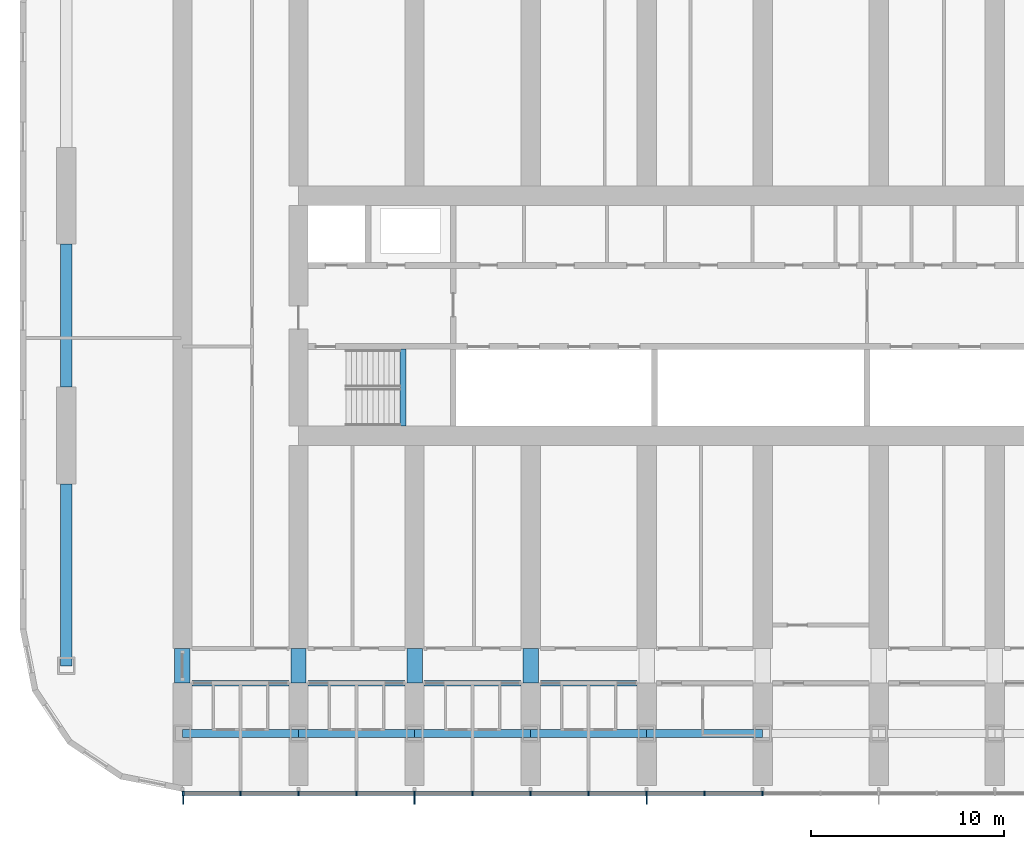
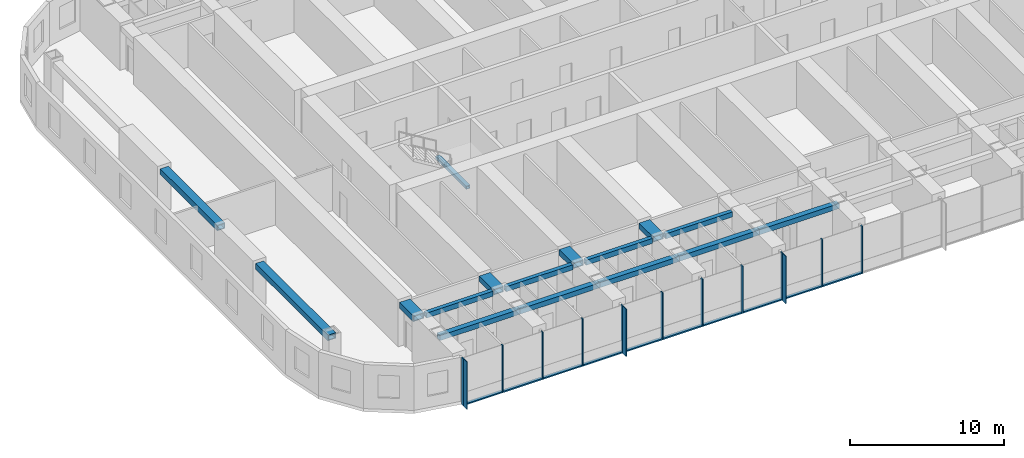
# One storey, part 2 of 25: 24 members, 16 beams, 1 element without a shape of its own.
"""IFC4 building model written with IfcOpenShell, lengths in metres."""

import ifcopenshell
import ifcopenshell.guid

model = None  # the IFC model being written
_history = None  # IfcOwnerHistory: only IFC2X3 demands one
_inside = {}  # id of a spatial element -> (the spatial element, [elements in it])
_under = {}  # id of a project, library or spatial element -> (it, [spatial elements below it])
_declared = {}  # id of a project -> (the project, [libraries it declares])
_typed = {}  # id of a type object -> (the type object, [elements of that type])
_made_of = {}  # id of a material, layer set ... -> (it, [elements and type objects made of it])


def new_model(schema):
    """Start an empty IFC model of exactly this schema.

    Asked for "IFC4X3", IfcOpenShell would pick the latest addendum, in which some entities
    have other attributes; the version numbers below select the first issue.
    IFC2X3 requires an IfcOwnerHistory on every rooted entity: one is made here for all.
    """
    global model, _history
    if schema == "IFC4X3":
        model = ifcopenshell.file(schema_version=(4, 3, 0, 0))
    else:
        model = ifcopenshell.file(schema=schema)
    _inside.clear()
    _under.clear()
    _declared.clear()
    _typed.clear()
    _made_of.clear()
    _history = None
    if model.schema == "IFC2X3":
        org = make("IfcOrganization", Name="unknown")
        user = make(
            "IfcPersonAndOrganization",
            ThePerson=make("IfcPerson", FamilyName="unknown"),
            TheOrganization=org,
        )
        app = make(
            "IfcApplication",
            ApplicationDeveloper=org,
            Version="unknown",
            ApplicationFullName="unknown",
            ApplicationIdentifier="unknown",
        )
        _history = make(
            "IfcOwnerHistory",
            OwningUser=user,
            OwningApplication=app,
            ChangeAction="ADDED",
            CreationDate=0,
        )
    return model


def make(cls, **values):
    """One entity of the class cls with the attributes given. An attribute that is None is left unset."""
    return model.create_entity(
        cls, **{name: value for name, value in values.items() if value is not None}
    )


def rooted(cls, **values):
    """An entity with a GlobalId (a new one), such as an element, a storey or a relation."""
    return make(cls, GlobalId=ifcopenshell.guid.new(), OwnerHistory=_history, **values)


def si_unit(unit_type, name, prefix=None):
    """IfcSIUnit, for example si_unit("LENGTHUNIT", "METRE", prefix="MILLI")."""
    return make("IfcSIUnit", UnitType=unit_type, Prefix=prefix, Name=name)


def assignment(units):
    """IfcUnitAssignment: the units of a project."""
    return None if units is None else make("IfcUnitAssignment", Units=units)


def point(xyz):
    """IfcCartesianPoint."""
    return None if xyz is None else make("IfcCartesianPoint", Coordinates=xyz)


def direction(xyz):
    """IfcDirection."""
    return None if xyz is None else make("IfcDirection", DirectionRatios=xyz)


def frame(location, z_axis=None, x_axis=None):
    """IfcAxis2Placement3D, a coordinate frame: its origin and axes. An axis left out is left unset."""
    return make(
        "IfcAxis2Placement3D",
        Location=point(location),
        Axis=direction(z_axis),
        RefDirection=direction(x_axis),
    )


def frame_2d(location, x_axis=None):
    """IfcAxis2Placement2D, a coordinate frame in the plane: its origin and x axis."""
    return make(
        "IfcAxis2Placement2D", Location=point(location), RefDirection=direction(x_axis)
    )


def origin():
    """The frame at (0, 0, 0) with its axes left unset."""
    return frame((0.0, 0.0, 0.0))


def origin_2d():
    """The frame at (0, 0) in the plane with its x axis left unset."""
    return frame_2d((0.0, 0.0))


def place(relative_to, where):
    """IfcLocalPlacement: puts the frame where relative to a parent placement (None: the world)."""
    return make(
        "IfcLocalPlacement", PlacementRelTo=relative_to, RelativePlacement=where
    )


def context(
    kind, dimensions, precision=None, world=None, true_north=None, identifier=None
):
    """IfcGeometricRepresentationContext, for example the 3D "Model" context."""
    return make(
        "IfcGeometricRepresentationContext",
        ContextIdentifier=identifier,
        ContextType=kind,
        CoordinateSpaceDimension=dimensions,
        Precision=precision,
        WorldCoordinateSystem=world,
        TrueNorth=true_north,
    )


def subcontext(parent, identifier, kind, view, scale=None):
    """IfcGeometricRepresentationSubContext, for example "Body" below "Model"."""
    return make(
        "IfcGeometricRepresentationSubContext",
        ContextIdentifier=identifier,
        ContextType=kind,
        ParentContext=parent,
        TargetScale=scale,
        TargetView=view,
    )


def project(units=None, contexts=None):
    """IfcProject with its units and contexts."""
    return rooted(
        "IfcProject",
        Name="project",
        RepresentationContexts=contexts,
        UnitsInContext=assignment(units),
    )


def spatial(cls, under=None, at=None, **own):
    """A site, building, storey or space (cls), placed at a placement, below another one or the project."""
    s = rooted(cls, ObjectPlacement=at, **own)
    if under is not None:
        _under.setdefault(under.id(), (under, []))[1].append(s)
    return s


def profile(cls, at=None, kind="AREA", **sizes):
    """A parametric profile (cls). Its sizes go by their IFC names, for example OverallWidth=200.0."""
    return make(cls, ProfileType=kind, Position=at, **sizes)


def rectangle(**sizes):
    """IfcRectangleProfileDef."""
    return profile("IfcRectangleProfileDef", **sizes)


def hollow_rectangle(**sizes):
    """IfcRectangleHollowProfileDef."""
    return profile("IfcRectangleHollowProfileDef", **sizes)


def extrude(swept, where, along, depth):
    """IfcExtrudedAreaSolid: the profile swept, set in the frame where, extruded along a direction by depth."""
    return make(
        "IfcExtrudedAreaSolid",
        SweptArea=swept,
        Position=where,
        ExtrudedDirection=direction(along),
        Depth=depth,
    )


def shape(context_of_items, identifier, shape_type, items):
    """IfcShapeRepresentation: the items that make up one representation, for example the "Body"."""
    return make(
        "IfcShapeRepresentation",
        ContextOfItems=context_of_items,
        RepresentationIdentifier=identifier,
        RepresentationType=shape_type,
        Items=items,
    )


def material(Name=None, Category=None):
    """IfcMaterial."""
    return make("IfcMaterial", Name=Name, Category=Category)


def material_profile(
    of_material, cross_section, Name=None, Category=None, Priority=None
):
    """IfcMaterialProfile: a cross section and its material."""
    return make(
        "IfcMaterialProfile",
        Name=Name,
        Material=of_material,
        Profile=cross_section,
        Priority=Priority,
        Category=Category,
    )


def profile_set(profiles, Name=None, composite=None):
    """IfcMaterialProfileSet."""
    return make(
        "IfcMaterialProfileSet",
        Name=Name,
        MaterialProfiles=profiles,
        CompositeProfile=composite,
    )


def made_of(thing, what):
    """Note that an element or type object is made of a material, layer set ...; save() writes the relation."""
    if what is not None:
        _made_of.setdefault(what.id(), (what, []))[1].append(thing)
    return thing


def type_object(cls, material=None, **own):
    """A type object (cls), such as IfcWallType, which elements share."""
    return made_of(rooted(cls, **own), material)


def element(
    cls,
    number,
    at=None,
    inside=None,
    cuts=None,
    type_object=None,
    material=None,
    context=None,
    identifier="Body",
    shape_type=None,
    held_by="IfcProductDefinitionShape",
    body=None,
    shapes=None,
    **own,
):
    """One element of the class cls, such as IfcWall. Its Tag is "e" and its number.

    at: its placement. inside: the storey or other place that contains it. cuts: it is an
    opening in that element (IfcRelVoidsElement). A single representation is given by context,
    identifier, shape_type and body (its items); several are given by shapes. held_by: the class
    of the entity that holds the representations. save() writes the other relations.
    """
    e = rooted(cls, Tag="e%d" % number, ObjectPlacement=at, **own)
    if body is not None:
        shapes = [shape(context, identifier, shape_type, body)]
    if shapes is not None:
        e.Representation = make(held_by, Representations=shapes)
    if inside is not None:
        _inside.setdefault(inside.id(), (inside, []))[1].append(e)
    if cuts is not None:
        rooted(
            "IfcRelVoidsElement", RelatingBuildingElement=cuts, RelatedOpeningElement=e
        )
    if type_object is not None:
        _typed.setdefault(type_object.id(), (type_object, []))[1].append(e)
    return made_of(e, material)


def aggregate(whole, parts):
    """IfcRelAggregates: a whole, such as a stair, and the parts it consists of."""
    return rooted("IfcRelAggregates", RelatingObject=whole, RelatedObjects=parts)


def save(model, path):
    """Write the relations noted so far, then the file.

    IfcRelAggregates (storeys below a building ...), IfcRelContainedInSpatialStructure (elements
    in a storey), IfcRelDefinesByType, IfcRelAssociatesMaterial and IfcRelDeclares: one each for
    every whole, place, type object, material and project.
    """
    for whole, parts in _under.values():
        aggregate(whole, parts)
    for where, things in _inside.values():
        rooted(
            "IfcRelContainedInSpatialStructure",
            RelatedElements=things,
            RelatingStructure=where,
        )
    for kind, things in _typed.values():
        rooted("IfcRelDefinesByType", RelatedObjects=things, RelatingType=kind)
    for what, things in _made_of.values():
        rooted("IfcRelAssociatesMaterial", RelatedObjects=things, RelatingMaterial=what)
    for by, libraries in _declared.values():
        rooted("IfcRelDeclares", RelatingContext=by, RelatedDefinitions=libraries)
    model.write(path)


model = new_model("IFC4")

# Units and contexts
model_context = context("Model", 3, precision=1e-05, world=origin(), true_north=direction((0.0, 1.0)))
body_context = subcontext(model_context, "Body", "Model", "MODEL_VIEW")
ifc_project = project(units=[si_unit("LENGTHUNIT", "METRE"), si_unit("AREAUNIT", "SQUARE_METRE"), si_unit("VOLUMEUNIT", "CUBIC_METRE"), si_unit("PLANEANGLEUNIT", "RADIAN"), si_unit("MASSUNIT", "GRAM", prefix="KILO")], contexts=[model_context])

# Site, building, storey
site_placement = place(None, origin())
site = spatial("IfcSite", under=ifc_project, at=site_placement, CompositionType="ELEMENT")
building_placement = place(site_placement, origin())
building = spatial("IfcBuilding", under=site, at=building_placement, Name="Orbita Commons", CompositionType="ELEMENT")
storey_placement = place(building_placement, frame((0.0, 0.0, 31.449951171875)))
storey = spatial("IfcBuildingStorey", under=building, at=storey_placement, Name="L07", CompositionType="ELEMENT", Elevation=31.449951171875)

# Curtain wall, members
ifc_material_1 = material(Name="Anodised aluminium frame, pale silver", Category="aluminium")
curtain_wall_type = type_object("IfcCurtainWallType", Name="Unitised curtain wall CW-T, vision and spandrel", PredefinedType="NOTDEFINED", material=ifc_material_1)
curtain_wall_placement = place(storey_placement, origin())
curtain_wall = element("IfcCurtainWall", 1, at=curtain_wall_placement, inside=storey, type_object=curtain_wall_type, Name="Curtain wall south L07", PredefinedType="NOTDEFINED")
ifc_material_2 = material(Name="Anodised aluminium, pale silver", Category="aluminium")
ifc_material_profile_1 = material_profile(ifc_material_2, rectangle(XDim=0.080078125, YDim=0.219970703125, at=origin_2d()), Name="AL 80x220")
ifc_profile_set_1 = profile_set([ifc_material_profile_1], Name="Anodised aluminium, pale silver")
member_type_1 = type_object("IfcMemberType", Name="Curtain wall mullion 80x220", PredefinedType="MULLION", material=ifc_profile_set_1)
member_1_placement = place(storey_placement, frame((12.0400390625, 7.2900390625, -0.25), z_axis=(0.0, 0.0, 1.0), x_axis=(1.0, 0.0, 0.0)))
member_1 = element("IfcMember", 2, at=member_1_placement, type_object=member_type_1, Name="Mullion 1 CW-L07-S", PredefinedType="MULLION", context=body_context, shape_type="SweptSolid", body=[
    extrude(rectangle(XDim=0.080078125, YDim=0.219970703125, at=origin_2d()), origin(), (0.0, 0.0, 1.0), 3.75),
])
member_2_placement = place(storey_placement, frame((15.0, 7.2900390625, -0.25), z_axis=(0.0, 0.0, 1.0), x_axis=(1.0, 0.0, 0.0)))
member_2 = element("IfcMember", 3, at=member_2_placement, type_object=member_type_1, Name="Mullion 2 CW-L07-S", PredefinedType="MULLION", context=body_context, shape_type="SweptSolid", body=[
    extrude(rectangle(XDim=0.080078125, YDim=0.219970703125, at=origin_2d()), origin(), (0.0, 0.0, 1.0), 3.75),
])
member_3_placement = place(storey_placement, frame((18.0, 7.2900390625, -0.25), z_axis=(0.0, 0.0, 1.0), x_axis=(1.0, 0.0, 0.0)))
member_3 = element("IfcMember", 4, at=member_3_placement, type_object=member_type_1, Name="Mullion 3 CW-L07-S", PredefinedType="MULLION", context=body_context, shape_type="SweptSolid", body=[
    extrude(rectangle(XDim=0.080078125, YDim=0.219970703125, at=origin_2d()), origin(), (0.0, 0.0, 1.0), 3.75),
])
member_4_placement = place(storey_placement, frame((21.0, 7.2900390625, -0.25), z_axis=(0.0, 0.0, 1.0), x_axis=(1.0, 0.0, 0.0)))
member_4 = element("IfcMember", 5, at=member_4_placement, type_object=member_type_1, Name="Mullion 4 CW-L07-S", PredefinedType="MULLION", context=body_context, shape_type="SweptSolid", body=[
    extrude(rectangle(XDim=0.080078125, YDim=0.219970703125, at=origin_2d()), origin(), (0.0, 0.0, 1.0), 3.75),
])
member_5_placement = place(storey_placement, frame((24.0, 7.2900390625, -0.25), z_axis=(0.0, 0.0, 1.0), x_axis=(1.0, 0.0, 0.0)))
member_5 = element("IfcMember", 6, at=member_5_placement, type_object=member_type_1, Name="Mullion 5 CW-L07-S", PredefinedType="MULLION", context=body_context, shape_type="SweptSolid", body=[
    extrude(rectangle(XDim=0.080078125, YDim=0.219970703125, at=origin_2d()), origin(), (0.0, 0.0, 1.0), 3.75),
])
member_6_placement = place(storey_placement, frame((27.0, 7.2900390625, -0.25), z_axis=(0.0, 0.0, 1.0), x_axis=(1.0, 0.0, 0.0)))
member_6 = element("IfcMember", 7, at=member_6_placement, type_object=member_type_1, Name="Mullion 6 CW-L07-S", PredefinedType="MULLION", context=body_context, shape_type="SweptSolid", body=[
    extrude(rectangle(XDim=0.080078125, YDim=0.219970703125, at=origin_2d()), origin(), (0.0, 0.0, 1.0), 3.75),
])
member_7_placement = place(storey_placement, frame((30.0, 7.2900390625, -0.25), z_axis=(0.0, 0.0, 1.0), x_axis=(1.0, 0.0, 0.0)))
member_7 = element("IfcMember", 8, at=member_7_placement, type_object=member_type_1, Name="Mullion 7 CW-L07-S", PredefinedType="MULLION", context=body_context, shape_type="SweptSolid", body=[
    extrude(rectangle(XDim=0.080078125, YDim=0.219970703125, at=origin_2d()), origin(), (0.0, 0.0, 1.0), 3.75),
])
member_8_placement = place(storey_placement, frame((33.0, 7.2900390625, -0.25), z_axis=(0.0, 0.0, 1.0), x_axis=(1.0, 0.0, 0.0)))
member_8 = element("IfcMember", 9, at=member_8_placement, type_object=member_type_1, Name="Mullion 8 CW-L07-S", PredefinedType="MULLION", context=body_context, shape_type="SweptSolid", body=[
    extrude(rectangle(XDim=0.080078125, YDim=0.219970703125, at=origin_2d()), origin(), (0.0, 0.0, 1.0), 3.75),
])
member_9_placement = place(storey_placement, frame((36.0, 7.2900390625, -0.25), z_axis=(0.0, 0.0, 1.0), x_axis=(1.0, 0.0, 0.0)))
member_9 = element("IfcMember", 10, at=member_9_placement, type_object=member_type_1, Name="Mullion 9 CW-L07-S", PredefinedType="MULLION", context=body_context, shape_type="SweptSolid", body=[
    extrude(rectangle(XDim=0.080078125, YDim=0.219970703125, at=origin_2d()), origin(), (0.0, 0.0, 1.0), 3.75),
])
member_10_placement = place(storey_placement, frame((39.0, 7.2900390625, -0.25), z_axis=(0.0, 0.0, 1.0), x_axis=(1.0, 0.0, 0.0)))
member_10 = element("IfcMember", 11, at=member_10_placement, type_object=member_type_1, Name="Mullion 10 CW-L07-S", PredefinedType="MULLION", context=body_context, shape_type="SweptSolid", body=[
    extrude(rectangle(XDim=0.080078125, YDim=0.219970703125, at=origin_2d()), origin(), (0.0, 0.0, 1.0), 3.75),
])
member_11_placement = place(storey_placement, frame((42.0, 7.2900390625, -0.25), z_axis=(0.0, 0.0, 1.0), x_axis=(1.0, 0.0, 0.0)))
member_11 = element("IfcMember", 12, at=member_11_placement, type_object=member_type_1, Name="Mullion 11 CW-L07-S", PredefinedType="MULLION", context=body_context, shape_type="SweptSolid", body=[
    extrude(rectangle(XDim=0.080078125, YDim=0.219970703125, at=origin_2d()), origin(), (0.0, 0.0, 1.0), 3.75),
])
ifc_material_3 = material(Name="Anodised aluminium, pale silver", Category="aluminium")
ifc_material_profile_2 = material_profile(ifc_material_3, rectangle(XDim=0.219970703125, YDim=0.10009765625, at=origin_2d()), Name="AL 220x100")
ifc_profile_set_2 = profile_set([ifc_material_profile_2], Name="Anodised aluminium, pale silver")
member_type_2 = type_object("IfcMemberType", Name="Curtain wall stack transom 220x100", PredefinedType="USERDEFINED", material=ifc_profile_set_2)
member_12_placement = place(storey_placement, frame((12.080078125, 7.2900390625, -0.199951171875), z_axis=(1.0, 0.0, 0.0), x_axis=(0.0, 1.0, 0.0)))
member_12 = element("IfcMember", 13, at=member_12_placement, type_object=member_type_2, Name="Transom 1.1 CW-L07-S", ObjectType="TRANSOM", PredefinedType="USERDEFINED", context=body_context, shape_type="SweptSolid", body=[
    extrude(rectangle(XDim=0.219970703125, YDim=0.10009765625, at=origin_2d()), origin(), (0.0, 0.0, 1.0), 2.8798828125),
])
member_13_placement = place(storey_placement, frame((15.0400390625, 7.2900390625, -0.199951171875), z_axis=(1.0, 0.0, 0.0), x_axis=(0.0, 1.0, 0.0)))
member_13 = element("IfcMember", 14, at=member_13_placement, type_object=member_type_2, Name="Transom 2.1 CW-L07-S", ObjectType="TRANSOM", PredefinedType="USERDEFINED", context=body_context, shape_type="SweptSolid", body=[
    extrude(rectangle(XDim=0.219970703125, YDim=0.10009765625, at=origin_2d()), origin(), (0.0, 0.0, 1.0), 2.919921875),
])
member_14_placement = place(storey_placement, frame((18.0400390625, 7.2900390625, -0.199951171875), z_axis=(1.0, 0.0, 0.0), x_axis=(0.0, 1.0, 0.0)))
member_14 = element("IfcMember", 15, at=member_14_placement, type_object=member_type_2, Name="Transom 3.1 CW-L07-S", ObjectType="TRANSOM", PredefinedType="USERDEFINED", context=body_context, shape_type="SweptSolid", body=[
    extrude(rectangle(XDim=0.219970703125, YDim=0.10009765625, at=origin_2d()), origin(), (0.0, 0.0, 1.0), 2.919921875),
])
member_15_placement = place(storey_placement, frame((21.0400390625, 7.2900390625, -0.199951171875), z_axis=(1.0, 0.0, 0.0), x_axis=(0.0, 1.0, 0.0)))
member_15 = element("IfcMember", 16, at=member_15_placement, type_object=member_type_2, Name="Transom 4.1 CW-L07-S", ObjectType="TRANSOM", PredefinedType="USERDEFINED", context=body_context, shape_type="SweptSolid", body=[
    extrude(rectangle(XDim=0.219970703125, YDim=0.10009765625, at=origin_2d()), origin(), (0.0, 0.0, 1.0), 2.919921875),
])
member_16_placement = place(storey_placement, frame((24.0400390625, 7.2900390625, -0.199951171875), z_axis=(1.0, 0.0, 0.0), x_axis=(0.0, 1.0, 0.0)))
member_16 = element("IfcMember", 17, at=member_16_placement, type_object=member_type_2, Name="Transom 5.1 CW-L07-S", ObjectType="TRANSOM", PredefinedType="USERDEFINED", context=body_context, shape_type="SweptSolid", body=[
    extrude(rectangle(XDim=0.219970703125, YDim=0.10009765625, at=origin_2d()), origin(), (0.0, 0.0, 1.0), 2.919921875),
])
member_17_placement = place(storey_placement, frame((27.0400390625, 7.2900390625, -0.199951171875), z_axis=(1.0, 0.0, 0.0), x_axis=(0.0, 1.0, 0.0)))
member_17 = element("IfcMember", 18, at=member_17_placement, type_object=member_type_2, Name="Transom 6.1 CW-L07-S", ObjectType="TRANSOM", PredefinedType="USERDEFINED", context=body_context, shape_type="SweptSolid", body=[
    extrude(rectangle(XDim=0.219970703125, YDim=0.10009765625, at=origin_2d()), origin(), (0.0, 0.0, 1.0), 2.919921875),
])
member_18_placement = place(storey_placement, frame((30.0400390625, 7.2900390625, -0.199951171875), z_axis=(1.0, 0.0, 0.0), x_axis=(0.0, 1.0, 0.0)))
member_18 = element("IfcMember", 19, at=member_18_placement, type_object=member_type_2, Name="Transom 7.1 CW-L07-S", ObjectType="TRANSOM", PredefinedType="USERDEFINED", context=body_context, shape_type="SweptSolid", body=[
    extrude(rectangle(XDim=0.219970703125, YDim=0.10009765625, at=origin_2d()), origin(), (0.0, 0.0, 1.0), 2.919921875),
])
member_19_placement = place(storey_placement, frame((33.0400390625, 7.2900390625, -0.199951171875), z_axis=(1.0, 0.0, 0.0), x_axis=(0.0, 1.0, 0.0)))
member_19 = element("IfcMember", 20, at=member_19_placement, type_object=member_type_2, Name="Transom 8.1 CW-L07-S", ObjectType="TRANSOM", PredefinedType="USERDEFINED", context=body_context, shape_type="SweptSolid", body=[
    extrude(rectangle(XDim=0.219970703125, YDim=0.10009765625, at=origin_2d()), origin(), (0.0, 0.0, 1.0), 2.919921875),
])
member_20_placement = place(storey_placement, frame((36.0400390625, 7.2900390625, -0.199951171875), z_axis=(1.0, 0.0, 0.0), x_axis=(0.0, 1.0, 0.0)))
member_20 = element("IfcMember", 21, at=member_20_placement, type_object=member_type_2, Name="Transom 9.1 CW-L07-S", ObjectType="TRANSOM", PredefinedType="USERDEFINED", context=body_context, shape_type="SweptSolid", body=[
    extrude(rectangle(XDim=0.219970703125, YDim=0.10009765625, at=origin_2d()), origin(), (0.0, 0.0, 1.0), 2.919921875),
])
member_21_placement = place(storey_placement, frame((39.0400390625, 7.2900390625, -0.199951171875), z_axis=(1.0, 0.0, 0.0), x_axis=(0.0, 1.0, 0.0)))
member_21 = element("IfcMember", 22, at=member_21_placement, type_object=member_type_2, Name="Transom 10.1 CW-L07-S", ObjectType="TRANSOM", PredefinedType="USERDEFINED", context=body_context, shape_type="SweptSolid", body=[
    extrude(rectangle(XDim=0.219970703125, YDim=0.10009765625, at=origin_2d()), origin(), (0.0, 0.0, 1.0), 2.919921875),
])

# Beams
ifc_material_4 = material(Name="Steel ASTM A572 Gr 50 welded plate", Category="steel")
ifc_material_profile_3 = material_profile(ifc_material_4, hollow_rectangle(XDim=0.300048828125, YDim=0.25, WallThickness=0.02490234375, at=origin_2d()), Name="BOX 250x300x25")
ifc_profile_set_3 = profile_set([ifc_material_profile_3], Name="Steel ASTM A572 Gr 50 welded plate")
beam_type_1 = type_object("IfcBeamType", Name="Stair landing beam steel BOX 250x300x25", PredefinedType="BEAM", material=ifc_profile_set_3)
beam_1_placement = place(storey_placement, frame((23.39990234375, 26.284912109375, 1.550048828125), z_axis=(0.0, 1.0, 0.0), x_axis=(-1.0, 0.0, 0.0)))
element("IfcBeam", 23, at=beam_1_placement, inside=storey, type_object=beam_type_1, Name="Stair S1 landing beam L07 1", PredefinedType="BEAM", context=body_context, shape_type="SweptSolid", body=[
    extrude(hollow_rectangle(XDim=0.300048828125, YDim=0.25, WallThickness=0.02490234375, at=origin_2d()), origin(), (0.0, 0.0, 1.0), 3.97998046875),
])
ifc_material_5 = material(Name="Steel ASTM A572 Gr 50 welded plate", Category="steel")
ifc_material_profile_4 = material_profile(ifc_material_5, hollow_rectangle(XDim=0.300048828125, YDim=0.39990234375, WallThickness=0.0400390625, at=origin_2d()), Name="BOX 400x300x40")
ifc_profile_set_4 = profile_set([ifc_material_profile_4], Name="Steel ASTM A572 Gr 50 welded plate")
beam_type_2 = type_object("IfcBeamType", Name="Steel corridor link BOX 400x300x40", PredefinedType="BEAM", material=ifc_profile_set_4)
for number, where, z_axis, x_axis, name in (
    (24, (12.5, 13.0, 3.300048828125), (1.0, 0.0, 0.0), (0.0, 1.0, 0.0), "Corridor beam SA 3-4 L07"),
    (25, (18.5, 13.0, 3.300048828125), (1.0, 0.0, 0.0), (0.0, 1.0, 0.0), "Corridor beam SA 4-5 L07"),
    (26, (24.5, 13.0, 3.300048828125), (1.0, 0.0, 0.0), (0.0, 1.0, 0.0), "Corridor beam SA 5-6 L07"),
    (27, (30.5, 13.0, 3.300048828125), (1.0, 0.0, 0.0), (0.0, 1.0, 0.0), "Corridor beam SA 6-7 L07"),
):
    element("IfcBeam", number, at=place(storey_placement, frame(where, z_axis=z_axis, x_axis=x_axis)), inside=storey, type_object=beam_type_2, Name=name, PredefinedType="BEAM", context=body_context, shape_type="SweptSolid", body=[
        extrude(hollow_rectangle(XDim=0.300048828125, YDim=0.39990234375, WallThickness=0.0400390625, at=origin_2d()), origin(), (0.0, 0.0, 1.0), 5.0),
    ])
ifc_material_6 = material(Name="Steel ASTM A572 Gr 50 welded plate", Category="steel")
ifc_material_profile_5 = material_profile(ifc_material_6, hollow_rectangle(XDim=0.800048828125, YDim=0.449951171875, WallThickness=0.06005859375, at=origin_2d()), Name="BOX 450x800x60")
ifc_profile_set_5 = profile_set([ifc_material_profile_5], Name="Steel ASTM A572 Gr 50 welded plate")
beam_type_3 = type_object("IfcBeamType", Name="Steel coupling link BOX 450x800x60", PredefinedType="LINTEL", material=ifc_profile_set_5)
for number, where, z_axis, x_axis, name in (
    (28, (12.0, 13.0, 3.275146484375), (0.0, 1.0, 0.0), (-1.0, 0.0, 0.0), "Coupling beam 3 south L07"),
    (29, (18.0, 13.0, 3.275146484375), (0.0, 1.0, 0.0), (-1.0, 0.0, 0.0), "Coupling beam 4 south L07"),
    (30, (24.0, 13.0, 3.275146484375), (0.0, 1.0, 0.0), (-1.0, 0.0, 0.0), "Coupling beam 5 south L07"),
    (31, (30.0, 13.0, 3.275146484375), (0.0, 1.0, 0.0), (-1.0, 0.0, 0.0), "Coupling beam 6 south L07"),
):
    element("IfcBeam", number, at=place(storey_placement, frame(where, z_axis=z_axis, x_axis=x_axis)), inside=storey, type_object=beam_type_3, Name=name, PredefinedType="LINTEL", context=body_context, shape_type="SweptSolid", body=[
        extrude(hollow_rectangle(XDim=0.800048828125, YDim=0.449951171875, WallThickness=0.06005859375, at=origin_2d()), origin(), (0.0, 0.0, 1.0), 1.800048828125),
    ])
ifc_material_7 = material(Name="Steel ASTM A572 Gr 50 welded plate", Category="steel")
ifc_material_profile_6 = material_profile(ifc_material_7, hollow_rectangle(XDim=0.60009765625, YDim=0.449951171875, WallThickness=0.06005859375, at=origin_2d()), Name="BOX 450x600x60")
ifc_profile_set_6 = profile_set([ifc_material_profile_6], Name="Steel ASTM A572 Gr 50 welded plate")
beam_type_4 = type_object("IfcBeamType", Name="Steel end frame link BOX 450x600x60", PredefinedType="BEAM", material=ifc_profile_set_6)
beam_2_placement = place(storey_placement, frame((6.0, 13.89990234375, 3.275146484375), z_axis=(0.0, 1.0, 0.0), x_axis=(-1.0, 0.0, 0.0)))
element("IfcBeam", 32, at=beam_2_placement, inside=storey, type_object=beam_type_4, Name="End frame beam 2 B-C L07", PredefinedType="BEAM", context=body_context, shape_type="SweptSolid", body=[
    extrude(hollow_rectangle(XDim=0.60009765625, YDim=0.449951171875, WallThickness=0.06005859375, at=origin_2d()), origin(), (0.0, 0.0, 1.0), 9.400146484375),
])
beam_3_placement = place(storey_placement, frame((6.0, 28.300048828125, 3.275146484375), z_axis=(0.0, 1.0, 0.0), x_axis=(-1.0, 0.0, 0.0)))
element("IfcBeam", 33, at=beam_3_placement, inside=storey, type_object=beam_type_4, Name="End frame beam 2 C-D L07", PredefinedType="BEAM", context=body_context, shape_type="SweptSolid", body=[
    extrude(hollow_rectangle(XDim=0.60009765625, YDim=0.449951171875, WallThickness=0.06005859375, at=origin_2d()), origin(), (0.0, 0.0, 1.0), 7.39990234375),
])
ifc_material_8 = material(Name="Steel ASTM A572 Gr 50 welded plate", Category="steel")
ifc_material_profile_7 = material_profile(ifc_material_8, hollow_rectangle(XDim=0.39990234375, YDim=0.39990234375, WallThickness=0.0400390625, at=origin_2d()), Name="BOX 400x400x40")
ifc_profile_set_7 = profile_set([ifc_material_profile_7], Name="Steel ASTM A572 Gr 50 welded plate")
beam_type_5 = type_object("IfcBeamType", Name="Steel spandrel BOX 400x400x40", PredefinedType="SPANDREL", material=ifc_profile_set_7)
for number, where, z_axis, x_axis, name in (
    (34, (12.0, 10.39990234375, 3.300048828125), (1.0, 0.0, 0.0), (0.0, 1.0, 0.0), "Spandrel beam B 3-4 L07"),
    (35, (18.0, 10.39990234375, 3.300048828125), (1.0, 0.0, 0.0), (0.0, 1.0, 0.0), "Spandrel beam B 4-5 L07"),
    (36, (24.0, 10.39990234375, 3.300048828125), (1.0, 0.0, 0.0), (0.0, 1.0, 0.0), "Spandrel beam B 5-6 L07"),
    (37, (30.0, 10.39990234375, 3.300048828125), (1.0, 0.0, 0.0), (0.0, 1.0, 0.0), "Spandrel beam B 6-7 L07"),
    (38, (36.0, 10.39990234375, 3.300048828125), (1.0, 0.0, 0.0), (0.0, 1.0, 0.0), "Spandrel beam B 7-8 L07"),
):
    element("IfcBeam", number, at=place(storey_placement, frame(where, z_axis=z_axis, x_axis=x_axis)), inside=storey, type_object=beam_type_5, Name=name, PredefinedType="SPANDREL", context=body_context, shape_type="SweptSolid", body=[
        extrude(hollow_rectangle(XDim=0.39990234375, YDim=0.39990234375, WallThickness=0.0400390625, at=origin_2d()), origin(), (0.0, 0.0, 1.0), 6.0),
    ])

# Member
ifc_material_9 = material(Name="Anodised aluminium, pale silver", Category="aluminium")
ifc_material_profile_8 = material_profile(ifc_material_9, rectangle(XDim=0.06005859375, YDim=0.449951171875, at=origin_2d()), Name="FIN 60x450")
ifc_profile_set_8 = profile_set([ifc_material_profile_8], Name="Anodised aluminium, pale silver")
member_type_3 = type_object("IfcMemberType", Name="Vertical fin 60x450 pale aluminium", PredefinedType="USERDEFINED", material=ifc_profile_set_8)
member_22_placement = place(storey_placement, frame((12.0400390625, 6.955078125, -0.25), z_axis=(0.0, 0.0, 1.0), x_axis=(1.0, 0.0, 0.0)))
member_22 = element("IfcMember", 39, at=member_22_placement, type_object=member_type_3, Name="Fin 1 CW-L07-S", ObjectType="FIN", PredefinedType="USERDEFINED", context=body_context, shape_type="SweptSolid", body=[
    extrude(rectangle(XDim=0.06005859375, YDim=0.449951171875, at=origin_2d()), origin(), (0.0, 0.0, 1.0), 3.75),
])

member_23_placement = place(storey_placement, frame((24.0, 6.955078125, -0.25), z_axis=(0.0, 0.0, 1.0), x_axis=(1.0, 0.0, 0.0)))
member_23 = element("IfcMember", 40, at=member_23_placement, type_object=member_type_3, Name="Fin 5 CW-L07-S", ObjectType="FIN", PredefinedType="USERDEFINED", context=body_context, shape_type="SweptSolid", body=[
    extrude(rectangle(XDim=0.06005859375, YDim=0.449951171875, at=origin_2d()), origin(), (0.0, 0.0, 1.0), 3.75),
])

member_24_placement = place(storey_placement, frame((36.0, 6.955078125, -0.25), z_axis=(0.0, 0.0, 1.0), x_axis=(1.0, 0.0, 0.0)))
member_24 = element("IfcMember", 41, at=member_24_placement, type_object=member_type_3, Name="Fin 9 CW-L07-S", ObjectType="FIN", PredefinedType="USERDEFINED", context=body_context, shape_type="SweptSolid", body=[
    extrude(rectangle(XDim=0.06005859375, YDim=0.449951171875, at=origin_2d()), origin(), (0.0, 0.0, 1.0), 3.75),
])

aggregate(curtain_wall, [member_1, member_22, member_2, member_3, member_4, member_5, member_23, member_6, member_7, member_8, member_9, member_24, member_10, member_11, member_12, member_13, member_14, member_15, member_16, member_17, member_18, member_19, member_20, member_21])

save(model, "model.ifc")
